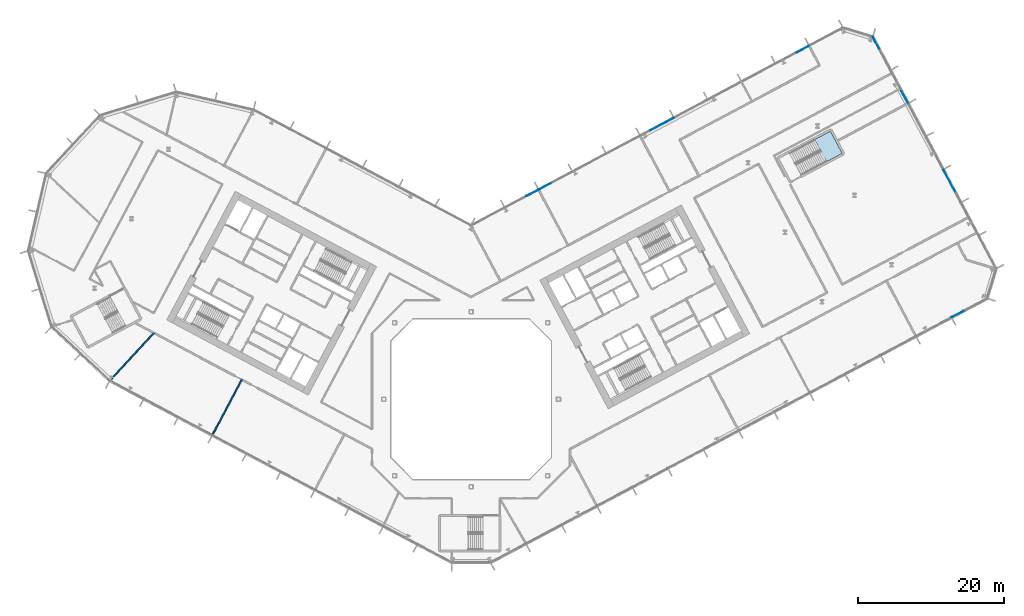
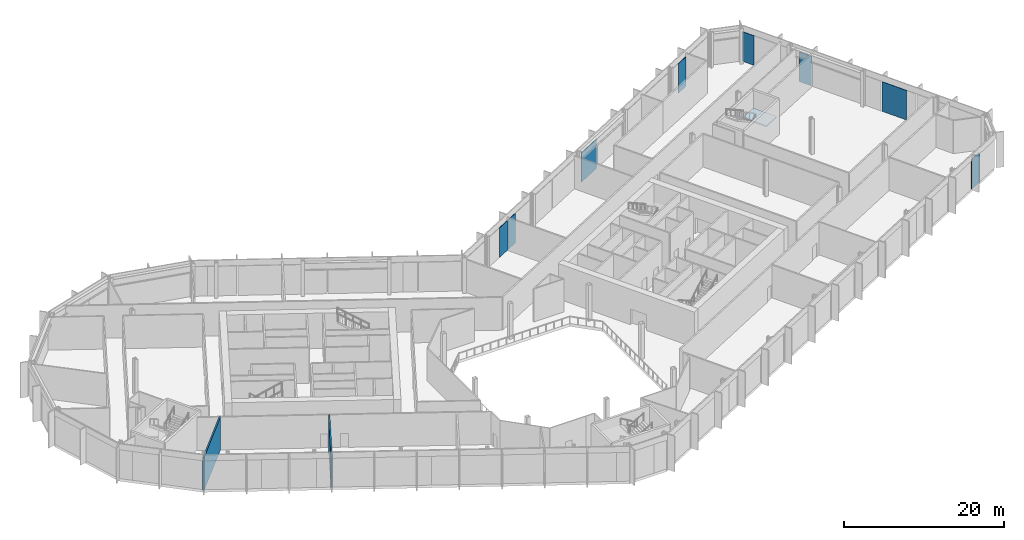
# One storey, part 11 of 32: 8 plates, 2 walls, 1 slab, 4 elements without a shape of their own.
"""IFC4 building model written with IfcOpenShell, lengths in metres."""

from ifc_helpers import new_model, si_unit, direction, frame, frame_2d, origin, origin_2d, place, context, subcontext, project, spatial, polyline, rectangle, outline, extrude, material, layer, layer_set, type_object, element, aggregate, save


model = new_model("IFC4")

# Units and contexts
model_context = context("Model", 3, precision=1e-05, world=origin(), true_north=direction((0.0, 1.0)))
body_context = subcontext(model_context, "Body", "Model", "MODEL_VIEW")
ifc_project = project(units=[si_unit("LENGTHUNIT", "METRE"), si_unit("AREAUNIT", "SQUARE_METRE"), si_unit("VOLUMEUNIT", "CUBIC_METRE"), si_unit("PLANEANGLEUNIT", "RADIAN"), si_unit("MASSUNIT", "GRAM", prefix="KILO")], contexts=[model_context])

# Site, building, storey
site_placement = place(None, origin())
site = spatial("IfcSite", under=ifc_project, at=site_placement, CompositionType="ELEMENT")
building_placement = place(site_placement, origin())
building = spatial("IfcBuilding", under=site, at=building_placement, Name="Cormorant Relay Tower", CompositionType="ELEMENT")
storey_placement = place(building_placement, frame((0.0, 0.0, 60.800048828125)))
storey = spatial("IfcBuildingStorey", under=building, at=storey_placement, Name="L11", CompositionType="ELEMENT", Elevation=60.800048828125)

# Curtain wall, plate
ifc_material_1 = material(Name="Aluminium 6063-T6 anodised bronze", Category="aluminium")
ifc_layer_1 = layer(ifc_material_1, 0.235107421875)
ifc_layer_set_1 = layer_set([ifc_layer_1], Name="CW6 data hall curtain wall with mineral wool panels")
curtain_wall_type = type_object("IfcCurtainWallType", Name="CW6 data hall curtain wall with mineral wool panels", PredefinedType="NOTDEFINED", material=ifc_layer_set_1)
curtain_wall_1_placement = place(storey_placement, origin())
curtain_wall_1 = element("IfcCurtainWall", 1, at=curtain_wall_1_placement, inside=storey, type_object=curtain_wall_type, Name="CW6 curtain wall 2", PredefinedType="NOTDEFINED")
ifc_material_2 = material(Name="Tinted triple-glazed laminated unit")
ifc_layer_2 = layer(ifc_material_2, 0.074951171875)
ifc_layer_set_2 = layer_set([ifc_layer_2], Name="CW6 triple-glazed vision unit 1800 module")
plate_type_1 = type_object("IfcPlateType", Name="CW6 triple-glazed vision unit 1800 module", PredefinedType="CURTAIN_PANEL", material=ifc_layer_set_2)
plate_1_placement = place(storey_placement, frame((66.794189453125, 11.688720703125, 0.0), z_axis=(0.0, 0.0, 1.0), x_axis=(0.882947592859, 0.469471562786, 0.0)))
plate_1 = element("IfcPlate", 2, at=plate_1_placement, type_object=plate_type_1, Name="CW6 panel V14", PredefinedType="CURTAIN_PANEL", context=body_context, shape_type="SweptSolid", body=[
    extrude(rectangle(XDim=1.800048828125, YDim=0.074951171875, at=origin_2d()), origin(), (0.0, 0.0, 1.0), 4.5),
])
aggregate(curtain_wall_1, [plate_1])

# Curtain wall, plates
curtain_wall_2_placement = place(storey_placement, origin())
curtain_wall_2 = element("IfcCurtainWall", 3, at=curtain_wall_2_placement, inside=storey, type_object=curtain_wall_type, Name="CW6 curtain wall 4", PredefinedType="NOTDEFINED")
plate_2_placement = place(storey_placement, frame((59.52587890625, 41.49169921875, 0.0), z_axis=(0.0, 0.0, 1.0), x_axis=(-0.469471562786, 0.882947592859, 0.0)))
plate_2 = element("IfcPlate", 4, at=plate_2_placement, type_object=plate_type_1, Name="CW6 panel V04", PredefinedType="CURTAIN_PANEL", context=body_context, shape_type="SweptSolid", body=[
    extrude(rectangle(XDim=1.800048828125, YDim=0.074951171875, at=origin_2d()), origin(), (0.0, 0.0, 1.0), 4.5),
])
plate_3_placement = place(storey_placement, frame((55.577392578125, 48.91796875, 0.0), z_axis=(0.0, 0.0, 1.0), x_axis=(-0.469471562786, 0.882947592859, 0.0)))
plate_3 = element("IfcPlate", 5, at=plate_3_placement, type_object=plate_type_1, Name="CW6 panel V06", PredefinedType="CURTAIN_PANEL", context=body_context, shape_type="SweptSolid", body=[
    extrude(rectangle(XDim=1.800048828125, YDim=0.074951171875, at=origin_2d()), origin(), (0.0, 0.0, 1.0), 4.5),
])

curtain_wall_3_placement = place(storey_placement, origin())
curtain_wall_3 = element("IfcCurtainWall", 6, at=curtain_wall_3_placement, inside=storey, type_object=curtain_wall_type, Name="CW6 curtain wall 6", PredefinedType="NOTDEFINED")
plate_4_placement = place(storey_placement, frame((45.543701171875, 48.04248046875, 0.0), z_axis=(0.0, 0.0, 1.0), x_axis=(-0.882947592859, -0.469471562786, 0.0)))
plate_4 = element("IfcPlate", 7, at=plate_4_placement, type_object=plate_type_1, Name="CW6 panel V01", PredefinedType="CURTAIN_PANEL", context=body_context, shape_type="SweptSolid", body=[
    extrude(rectangle(XDim=1.800048828125, YDim=0.074951171875, at=origin_2d()), origin(), (0.0, 0.0, 1.0), 4.5),
])
plate_5_placement = place(storey_placement, frame((10.127685546875, 29.21142578125, 0.0), z_axis=(0.0, 0.0, 1.0), x_axis=(-0.882947592859, -0.469471562786, 0.0)))
plate_5 = element("IfcPlate", 8, at=plate_5_placement, type_object=plate_type_1, Name="CW6 panel V07", PredefinedType="CURTAIN_PANEL", context=body_context, shape_type="SweptSolid", body=[
    extrude(rectangle(XDim=1.800048828125, YDim=0.074951171875, at=origin_2d()), origin(), (0.0, 0.0, 1.0), 4.5),
])
plate_6_placement = place(storey_placement, frame((8.406005859375, 28.2958984375, 0.0), z_axis=(0.0, 0.0, 1.0), x_axis=(-0.882947592859, -0.469471562786, 0.0)))
plate_6 = element("IfcPlate", 9, at=plate_6_placement, type_object=plate_type_1, Name="CW6 panel V08", PredefinedType="CURTAIN_PANEL", context=body_context, shape_type="SweptSolid", body=[
    extrude(rectangle(XDim=1.800048828125, YDim=0.074951171875, at=origin_2d()), origin(), (0.0, 0.0, 1.0), 4.5),
])

# Plate
ifc_material_3 = material(Name="Tinted triple-glazed laminated unit")
ifc_layer_3 = layer(ifc_material_3, 0.074951171875)
ifc_layer_set_3 = layer_set([ifc_layer_3], Name="CW6 triple-glazed vision unit 3600 module")
plate_type_2 = type_object("IfcPlateType", Name="CW6 triple-glazed vision unit 3600 module", PredefinedType="CURTAIN_PANEL", material=ifc_layer_set_3)
plate_7_placement = place(storey_placement, frame((65.69287109375, 29.8935546875, 0.0), z_axis=(0.0, 0.0, 1.0), x_axis=(-0.469471562786, 0.882947592859, 0.0)))
plate_7 = element("IfcPlate", 10, at=plate_7_placement, type_object=plate_type_2, Name="CW6 panel V02", PredefinedType="CURTAIN_PANEL", context=body_context, shape_type="SweptSolid", body=[
    extrude(rectangle(XDim=3.60009765625, YDim=0.074951171875, at=origin_2d()), origin(), (0.0, 0.0, 1.0), 4.5),
])

aggregate(curtain_wall_2, [plate_7, plate_2, plate_3])

plate_8_placement = place(storey_placement, frame((26.18017578125, 37.74658203125, 0.0), z_axis=(0.0, 0.0, 1.0), x_axis=(-0.882947592859, -0.469471562786, 0.0)))
plate_8 = element("IfcPlate", 11, at=plate_8_placement, type_object=plate_type_2, Name="CW6 panel V04", PredefinedType="CURTAIN_PANEL", context=body_context, shape_type="SweptSolid", body=[
    extrude(rectangle(XDim=3.60009765625, YDim=0.074951171875, at=origin_2d()), origin(), (0.0, 0.0, 1.0), 4.5),
])

aggregate(curtain_wall_3, [plate_4, plate_8, plate_5, plate_6])

# Stair, slab
ifc_material_4 = material(Name="Concrete 40 MPa", Category="concrete")
stair_type = type_object("IfcStairType", Name="Exit stair 1500", PredefinedType="HALF_TURN_STAIR", material=ifc_material_4)
stair_placement = place(storey_placement, origin())
stair = element("IfcStair", 12, at=stair_placement, inside=storey, type_object=stair_type, Name="L11 Stair", PredefinedType="HALF_TURN_STAIR")
ifc_material_5 = material(Name="Concrete 40 MPa", Category="concrete")
ifc_layer_4 = layer(ifc_material_5, 0.199951171875)
ifc_layer_set_4 = layer_set([ifc_layer_4], Name="Exit stair landing 200")
slab_type = type_object("IfcSlabType", Name="Exit stair landing 200", PredefinedType="LANDING", material=ifc_layer_set_4)
slab_placement = place(storey_placement, frame((0.0, 0.0, 2.5)))
slab = element("IfcSlab", 13, at=slab_placement, type_object=slab_type, Name="RB1 landing 1", PredefinedType="LANDING", context=body_context, shape_type="SweptSolid", body=[
    extrude(outline(polyline([(48.796142578125, 32.614013671875), (50.941650390625, 33.7548828125), (49.322021484375, 36.801025390625), (47.17626953125, 35.66015625), (48.796142578125, 32.614013671875)])), origin(), (0.0, 0.0, 1.0), 0.199951171875),
])
aggregate(stair, [slab])

# Walls
ifc_material_6 = material(Name="Fire-rated gypsum board partition")
ifc_layer_5 = layer(ifc_material_6, 0.199951171875)
ifc_layer_set_5 = layer_set([ifc_layer_5], Name="Fire-rated gypsum partition 200")
wall_type = type_object("IfcWallType", Name="Fire-rated gypsum partition 200", PredefinedType="PARTITIONING", material=ifc_layer_set_5)
wall_1_placement = place(storey_placement, frame((-43.51904296875, 9.095947265625, 0.0), z_axis=(0.0, 0.0, 1.0), x_axis=(-0.682037499791, -0.731317201273, 0.0)))
element("IfcWall", 14, at=wall_1_placement, inside=storey, type_object=wall_type, Name="wall/L11/part/6", PredefinedType="PARTITIONING", context=body_context, shape_type="SweptSolid", body=[
    extrude(rectangle(XDim=9.11083984375, YDim=0.199951171875, at=frame_2d((4.555419921875, 0.0))), origin(), (0.0, 0.0, 1.0), 5.0),
])
wall_2_placement = place(storey_placement, frame((-31.470947265625, 2.68994140625, 0.0), z_axis=(0.0, 0.0, 1.0), x_axis=(-0.469532456729, -0.882915212281, 0.0)))
element("IfcWall", 15, at=wall_2_placement, inside=storey, type_object=wall_type, Name="wall/L11/part/7", PredefinedType="PARTITIONING", context=body_context, shape_type="SweptSolid", body=[
    extrude(rectangle(XDim=8.80029296875, YDim=0.199951171875, at=frame_2d((4.400146484375, 0.0))), origin(), (0.0, 0.0, 1.0), 5.0),
])

save(model, "model.ifc")
